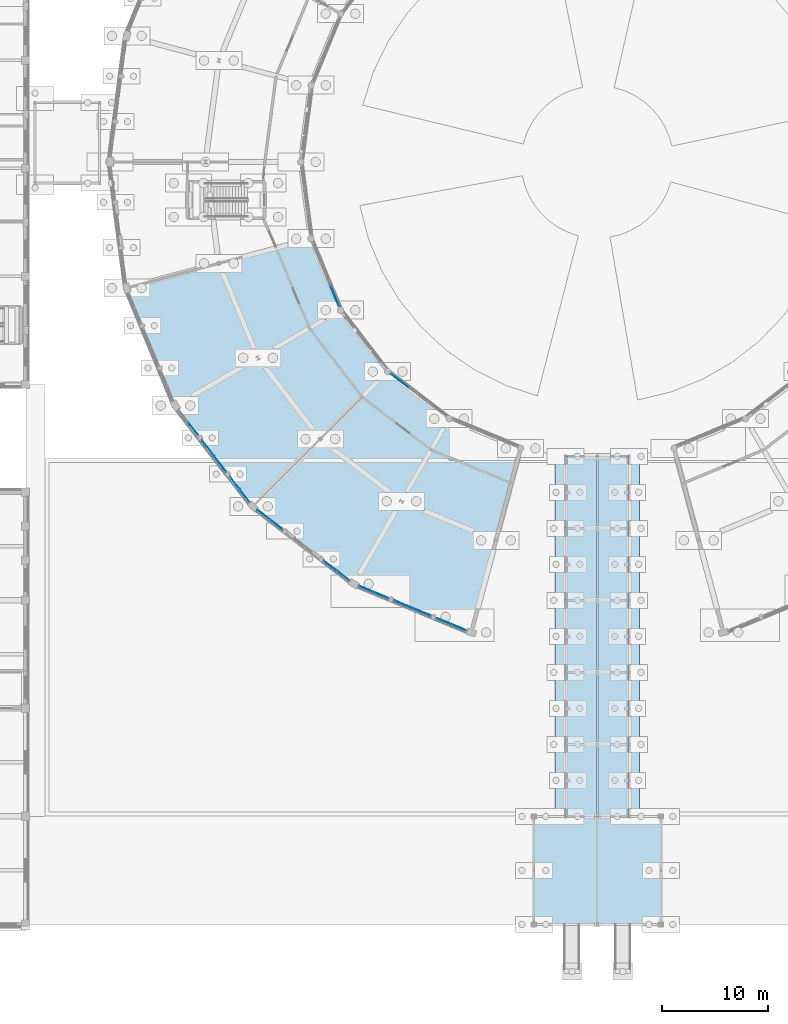
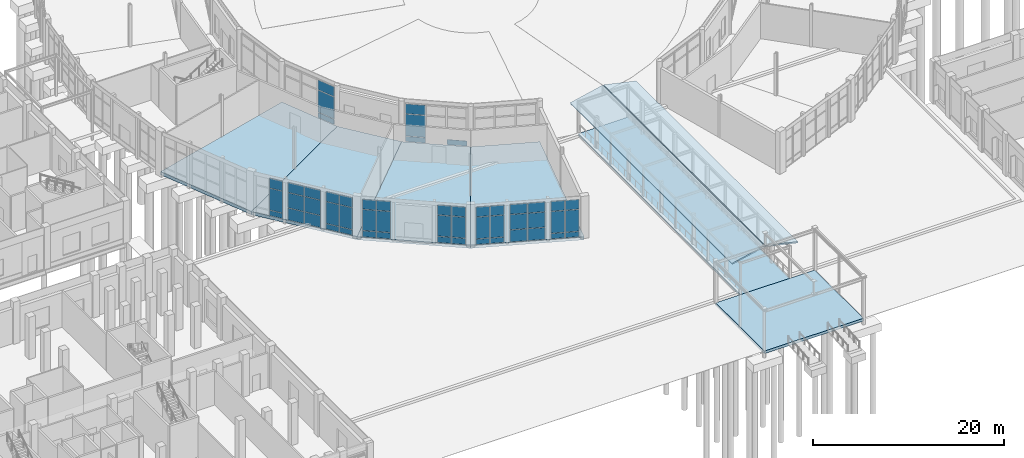
# One storey, part 86 of 137: 52 plates, 8 slabs, 10 elements without a shape of their own.
"""IFC4 building model written with IfcOpenShell, lengths in metres."""

from ifc_helpers import new_model, si_unit, direction, frame, origin, origin_2d, place, context, subcontext, project, spatial, polyline, rectangle, outline, extrude, material, layer, layer_set, type_object, element, aggregate, save


model = new_model("IFC4")

# Units and contexts
model_context = context("Model", 3, precision=1e-05, world=origin(), true_north=direction((0.0, 1.0)))
body_context = subcontext(model_context, "Body", "Model", "MODEL_VIEW")
ifc_project = project(units=[si_unit("LENGTHUNIT", "METRE"), si_unit("AREAUNIT", "SQUARE_METRE"), si_unit("VOLUMEUNIT", "CUBIC_METRE"), si_unit("PLANEANGLEUNIT", "RADIAN"), si_unit("MASSUNIT", "GRAM", prefix="KILO")], contexts=[model_context])

# Site, building, storey
site_placement = place(None, origin())
site = spatial("IfcSite", under=ifc_project, at=site_placement, CompositionType="ELEMENT")
building_placement = place(site_placement, origin())
building = spatial("IfcBuilding", under=site, at=building_placement, Name="Vondelvale Polytechnic", CompositionType="ELEMENT")
storey_placement = place(building_placement, origin())
storey = spatial("IfcBuildingStorey", under=building, at=storey_placement, Name="L00", CompositionType="ELEMENT", Elevation=0.0)

# Curtain wall, plates
ifc_material_1 = material(Name="Anodised extruded aluminium 6063-T6", Category="aluminium")
curtain_wall_type_1 = type_object("IfcCurtainWallType", Name="CW-RING-CLOISTER", PredefinedType="NOTDEFINED", material=ifc_material_1)
curtain_wall_1_placement = place(storey_placement, origin())
curtain_wall_1 = element("IfcCurtainWall", 1, at=curtain_wall_1_placement, inside=storey, type_object=curtain_wall_type_1, Name="L00 architectural curtain wall CW-03-275", PredefinedType="NOTDEFINED")
ifc_material_2 = material(Name="Double-glazed low-E insulated architectural glass", Category="glass")
ifc_layer_1 = layer(ifc_material_2, 0.028076171875)
ifc_layer_set_1 = layer_set([ifc_layer_1], Name="CW-PANEL-GLAZED")
plate_type_1 = type_object("IfcPlateType", Name="CW-PANEL-GLAZED", PredefinedType="CURTAIN_PANEL", material=ifc_layer_set_1)
plate_1_placement = place(storey_placement, frame((77.194091796875, 59.344970703125, 0.78271484375), z_axis=(0.0, 0.0, 1.0), x_axis=(0.382678531697, -0.923881562419, 0.0)))
plate_1 = element("IfcPlate", 2, at=plate_1_placement, type_object=plate_type_1, Name="CW-03-275 panel 3.2", PredefinedType="CURTAIN_PANEL", context=body_context, shape_type="SweptSolid", body=[
    extrude(rectangle(XDim=2.111572265625, YDim=0.028076171875, at=origin_2d()), origin(), (0.0, 0.0, 1.0), 2.784912109375),
])
plate_2_placement = place(storey_placement, frame((77.194091796875, 59.344970703125, 3.632568359375), z_axis=(0.0, 0.0, 1.0), x_axis=(0.382678531697, -0.923881562419, 0.0)))
plate_2 = element("IfcPlate", 3, at=plate_2_placement, type_object=plate_type_1, Name="CW-03-275 panel 3.3", PredefinedType="CURTAIN_PANEL", context=body_context, shape_type="SweptSolid", body=[
    extrude(rectangle(XDim=2.111572265625, YDim=0.028076171875, at=origin_2d()), origin(), (0.0, 0.0, 1.0), 1.25244140625),
])

ifc_material_3 = material(Name="Glulam GL18 structural Tasmanian oak (fb = 42 MPa)", Category="wood")
curtain_wall_type_2 = type_object("IfcCurtainWallType", Name="CW-RING-OUTER", PredefinedType="NOTDEFINED", material=ifc_material_3)
curtain_wall_2_placement = place(storey_placement, origin())
curtain_wall_2 = element("IfcCurtainWall", 4, at=curtain_wall_2_placement, inside=storey, type_object=curtain_wall_type_2, Name="L00 architectural curtain wall CW-04-295", PredefinedType="NOTDEFINED")
plate_3_placement = place(storey_placement, frame((63.86474609375, 46.7822265625, 0.77978515625), z_axis=(0.0, 0.0, 1.0), x_axis=(0.608763610584, -0.793351666305, 0.0)))
plate_3 = element("IfcPlate", 5, at=plate_3_placement, type_object=plate_type_1, Name="CW-04-295 panel 2.2", PredefinedType="CURTAIN_PANEL", context=body_context, shape_type="SweptSolid", body=[
    extrude(rectangle(XDim=1.454345703125, YDim=0.028076171875, at=origin_2d()), origin(), (0.0, 0.0, 1.0), 2.760009765625),
])
plate_4_placement = place(storey_placement, frame((63.86474609375, 46.7822265625, 3.60009765625), z_axis=(0.0, 0.0, 1.0), x_axis=(0.608763610584, -0.793351666305, 0.0)))
plate_4 = element("IfcPlate", 6, at=plate_4_placement, type_object=plate_type_1, Name="CW-04-295 panel 2.3", PredefinedType="CURTAIN_PANEL", context=body_context, shape_type="SweptSolid", body=[
    extrude(rectangle(XDim=1.454345703125, YDim=0.028076171875, at=origin_2d()), origin(), (0.0, 0.0, 1.0), 1.260009765625),
])

curtain_wall_3_placement = place(storey_placement, origin())
curtain_wall_3 = element("IfcCurtainWall", 7, at=curtain_wall_3_placement, inside=storey, type_object=curtain_wall_type_2, Name="L00 architectural curtain wall CW-04-297", PredefinedType="NOTDEFINED")
plate_5_placement = place(storey_placement, frame((67.771240234375, 41.69091796875, 0.77978515625), z_axis=(0.0, 0.0, 1.0), x_axis=(0.608763610584, -0.793351666305, 0.0)))
plate_5 = element("IfcPlate", 8, at=plate_5_placement, type_object=plate_type_1, Name="CW-04-297 panel 1.2", PredefinedType="CURTAIN_PANEL", context=body_context, shape_type="SweptSolid", body=[
    extrude(rectangle(XDim=1.454345703125, YDim=0.028076171875, at=origin_2d()), origin(), (0.0, 0.0, 1.0), 2.760009765625),
])
plate_6_placement = place(storey_placement, frame((67.771240234375, 41.69091796875, 3.60009765625), z_axis=(0.0, 0.0, 1.0), x_axis=(0.608763610584, -0.793351666305, 0.0)))
plate_6 = element("IfcPlate", 9, at=plate_6_placement, type_object=plate_type_1, Name="CW-04-297 panel 1.3", PredefinedType="CURTAIN_PANEL", context=body_context, shape_type="SweptSolid", body=[
    extrude(rectangle(XDim=1.454345703125, YDim=0.028076171875, at=origin_2d()), origin(), (0.0, 0.0, 1.0), 1.260009765625),
])
plate_7_placement = place(storey_placement, frame((68.696044921875, 40.485595703125, 0.77978515625), z_axis=(0.0, 0.0, 1.0), x_axis=(0.608763610584, -0.793351666305, 0.0)))
plate_7 = element("IfcPlate", 10, at=plate_7_placement, type_object=plate_type_1, Name="CW-04-297 panel 2.2", PredefinedType="CURTAIN_PANEL", context=body_context, shape_type="SweptSolid", body=[
    extrude(rectangle(XDim=1.454345703125, YDim=0.028076171875, at=origin_2d()), origin(), (0.0, 0.0, 1.0), 2.760009765625),
])
plate_8_placement = place(storey_placement, frame((68.696044921875, 40.485595703125, 3.60009765625), z_axis=(0.0, 0.0, 1.0), x_axis=(0.608763610584, -0.793351666305, 0.0)))
plate_8 = element("IfcPlate", 11, at=plate_8_placement, type_object=plate_type_1, Name="CW-04-297 panel 2.3", PredefinedType="CURTAIN_PANEL", context=body_context, shape_type="SweptSolid", body=[
    extrude(rectangle(XDim=1.454345703125, YDim=0.028076171875, at=origin_2d()), origin(), (0.0, 0.0, 1.0), 1.260009765625),
])

curtain_wall_4_placement = place(storey_placement, origin())
curtain_wall_4 = element("IfcCurtainWall", 12, at=curtain_wall_4_placement, inside=storey, type_object=curtain_wall_type_1, Name="L00 architectural curtain wall CW-03-314", PredefinedType="NOTDEFINED")
plate_9_placement = place(storey_placement, frame((83.355224609375, 51.3154296875, 0.78271484375), z_axis=(0.0, 0.0, 1.0), x_axis=(0.793363861089, -0.608747717793, 0.0)))
plate_9 = element("IfcPlate", 13, at=plate_9_placement, type_object=plate_type_1, Name="CW-03-314 panel 1.2", PredefinedType="CURTAIN_PANEL", context=body_context, shape_type="SweptSolid", body=[
    extrude(rectangle(XDim=2.1123046875, YDim=0.028076171875, at=origin_2d()), origin(), (0.0, 0.0, 1.0), 2.784912109375),
])
plate_10_placement = place(storey_placement, frame((83.355224609375, 51.3154296875, 3.632568359375), z_axis=(0.0, 0.0, 1.0), x_axis=(0.793363861089, -0.608747717793, 0.0)))
plate_10 = element("IfcPlate", 14, at=plate_10_placement, type_object=plate_type_1, Name="CW-03-314 panel 1.3", PredefinedType="CURTAIN_PANEL", context=body_context, shape_type="SweptSolid", body=[
    extrude(rectangle(XDim=2.1123046875, YDim=0.028076171875, at=origin_2d()), origin(), (0.0, 0.0, 1.0), 1.25244140625),
])

curtain_wall_5_placement = place(storey_placement, origin())
curtain_wall_5 = element("IfcCurtainWall", 15, at=curtain_wall_5_placement, inside=storey, type_object=curtain_wall_type_2, Name="L00 architectural curtain wall CW-04-315", PredefinedType="NOTDEFINED")
plate_11_placement = place(storey_placement, frame((70.485595703125, 38.696044921875, 0.8798828125), z_axis=(0.0, 0.0, 1.0), x_axis=(0.793351666305, -0.608763610584, 0.0)))
plate_11 = element("IfcPlate", 16, at=plate_11_placement, type_object=plate_type_1, Name="CW-04-315 panel 1.2", PredefinedType="CURTAIN_PANEL", context=body_context, shape_type="SweptSolid", body=[
    extrude(rectangle(XDim=1.454345703125, YDim=0.028076171875, at=origin_2d()), origin(), (0.0, 0.0, 1.0), 2.659912109375),
])
plate_12_placement = place(storey_placement, frame((70.485595703125, 38.696044921875, 3.60009765625), z_axis=(0.0, 0.0, 1.0), x_axis=(0.793351666305, -0.608763610584, 0.0)))
plate_12 = element("IfcPlate", 17, at=plate_12_placement, type_object=plate_type_1, Name="CW-04-315 panel 1.3", PredefinedType="CURTAIN_PANEL", context=body_context, shape_type="SweptSolid", body=[
    extrude(rectangle(XDim=1.454345703125, YDim=0.028076171875, at=origin_2d()), origin(), (0.0, 0.0, 1.0), 1.260009765625),
])
plate_13_placement = place(storey_placement, frame((71.69091796875, 37.771240234375, 0.8798828125), z_axis=(0.0, 0.0, 1.0), x_axis=(0.793351666305, -0.608763610584, 0.0)))
plate_13 = element("IfcPlate", 18, at=plate_13_placement, type_object=plate_type_1, Name="CW-04-315 panel 2.2", PredefinedType="CURTAIN_PANEL", context=body_context, shape_type="SweptSolid", body=[
    extrude(rectangle(XDim=1.454345703125, YDim=0.028076171875, at=origin_2d()), origin(), (0.0, 0.0, 1.0), 2.659912109375),
])
plate_14_placement = place(storey_placement, frame((71.69091796875, 37.771240234375, 3.60009765625), z_axis=(0.0, 0.0, 1.0), x_axis=(0.793351666305, -0.608763610584, 0.0)))
plate_14 = element("IfcPlate", 19, at=plate_14_placement, type_object=plate_type_1, Name="CW-04-315 panel 2.3", PredefinedType="CURTAIN_PANEL", context=body_context, shape_type="SweptSolid", body=[
    extrude(rectangle(XDim=1.454345703125, YDim=0.028076171875, at=origin_2d()), origin(), (0.0, 0.0, 1.0), 1.260009765625),
])

curtain_wall_6_placement = place(storey_placement, origin())
curtain_wall_6 = element("IfcCurtainWall", 20, at=curtain_wall_6_placement, inside=storey, type_object=curtain_wall_type_2, Name="L00 architectural curtain wall CW-04-316", PredefinedType="NOTDEFINED")
plate_15_placement = place(storey_placement, frame((76.7822265625, 33.86474609375, 0.8798828125), z_axis=(0.0, 0.0, 1.0), x_axis=(0.793351666305, -0.608763610584, 0.0)))
plate_15 = element("IfcPlate", 21, at=plate_15_placement, type_object=plate_type_1, Name="CW-04-316 panel 1.2", PredefinedType="CURTAIN_PANEL", context=body_context, shape_type="SweptSolid", body=[
    extrude(rectangle(XDim=1.454345703125, YDim=0.028076171875, at=origin_2d()), origin(), (0.0, 0.0, 1.0), 2.659912109375),
])
plate_16_placement = place(storey_placement, frame((76.7822265625, 33.86474609375, 3.60009765625), z_axis=(0.0, 0.0, 1.0), x_axis=(0.793351666305, -0.608763610584, 0.0)))
plate_16 = element("IfcPlate", 22, at=plate_16_placement, type_object=plate_type_1, Name="CW-04-316 panel 1.3", PredefinedType="CURTAIN_PANEL", context=body_context, shape_type="SweptSolid", body=[
    extrude(rectangle(XDim=1.454345703125, YDim=0.028076171875, at=origin_2d()), origin(), (0.0, 0.0, 1.0), 1.260009765625),
])
plate_17_placement = place(storey_placement, frame((77.987548828125, 32.939697265625, 0.8798828125), z_axis=(0.0, 0.0, 1.0), x_axis=(0.793351666305, -0.608763610584, 0.0)))
plate_17 = element("IfcPlate", 23, at=plate_17_placement, type_object=plate_type_1, Name="CW-04-316 panel 2.2", PredefinedType="CURTAIN_PANEL", context=body_context, shape_type="SweptSolid", body=[
    extrude(rectangle(XDim=1.454345703125, YDim=0.028076171875, at=origin_2d()), origin(), (0.0, 0.0, 1.0), 2.659912109375),
])
plate_18_placement = place(storey_placement, frame((77.987548828125, 32.939697265625, 3.60009765625), z_axis=(0.0, 0.0, 1.0), x_axis=(0.793351666305, -0.608763610584, 0.0)))
plate_18 = element("IfcPlate", 24, at=plate_18_placement, type_object=plate_type_1, Name="CW-04-316 panel 2.3", PredefinedType="CURTAIN_PANEL", context=body_context, shape_type="SweptSolid", body=[
    extrude(rectangle(XDim=1.454345703125, YDim=0.028076171875, at=origin_2d()), origin(), (0.0, 0.0, 1.0), 1.260009765625),
])

curtain_wall_7_placement = place(storey_placement, origin())
curtain_wall_7 = element("IfcCurtainWall", 25, at=curtain_wall_7_placement, inside=storey, type_object=curtain_wall_type_2, Name="L00 architectural curtain wall CW-04-326", PredefinedType="NOTDEFINED")
plate_19_placement = place(storey_placement, frame((80.178955078125, 31.674560546875, 0.77978515625), z_axis=(0.0, 0.0, 1.0), x_axis=(0.92388135159, -0.382679040691, 0.0)))
plate_19 = element("IfcPlate", 26, at=plate_19_placement, type_object=plate_type_1, Name="CW-04-326 panel 1.2", PredefinedType="CURTAIN_PANEL", context=body_context, shape_type="SweptSolid", body=[
    extrude(rectangle(XDim=1.454345703125, YDim=0.028076171875, at=origin_2d()), origin(), (0.0, 0.0, 1.0), 2.760009765625),
])
plate_20_placement = place(storey_placement, frame((80.178955078125, 31.674560546875, 3.60009765625), z_axis=(0.0, 0.0, 1.0), x_axis=(0.92388135159, -0.382679040691, 0.0)))
plate_20 = element("IfcPlate", 27, at=plate_20_placement, type_object=plate_type_1, Name="CW-04-326 panel 1.3", PredefinedType="CURTAIN_PANEL", context=body_context, shape_type="SweptSolid", body=[
    extrude(rectangle(XDim=1.454345703125, YDim=0.028076171875, at=origin_2d()), origin(), (0.0, 0.0, 1.0), 1.260009765625),
])
plate_21_placement = place(storey_placement, frame((81.582763671875, 31.093017578125, 0.77978515625), z_axis=(0.0, 0.0, 1.0), x_axis=(0.92388135159, -0.382679040691, 0.0)))
plate_21 = element("IfcPlate", 28, at=plate_21_placement, type_object=plate_type_1, Name="CW-04-326 panel 2.2", PredefinedType="CURTAIN_PANEL", context=body_context, shape_type="SweptSolid", body=[
    extrude(rectangle(XDim=1.454345703125, YDim=0.028076171875, at=origin_2d()), origin(), (0.0, 0.0, 1.0), 2.760009765625),
])
plate_22_placement = place(storey_placement, frame((81.582763671875, 31.093017578125, 3.60009765625), z_axis=(0.0, 0.0, 1.0), x_axis=(0.92388135159, -0.382679040691, 0.0)))
plate_22 = element("IfcPlate", 29, at=plate_22_placement, type_object=plate_type_1, Name="CW-04-326 panel 2.3", PredefinedType="CURTAIN_PANEL", context=body_context, shape_type="SweptSolid", body=[
    extrude(rectangle(XDim=1.454345703125, YDim=0.028076171875, at=origin_2d()), origin(), (0.0, 0.0, 1.0), 1.260009765625),
])

curtain_wall_8_placement = place(storey_placement, origin())
curtain_wall_8 = element("IfcCurtainWall", 30, at=curtain_wall_8_placement, inside=storey, type_object=curtain_wall_type_2, Name="L00 architectural curtain wall CW-04-328", PredefinedType="NOTDEFINED")
plate_23_placement = place(storey_placement, frame((87.511474609375, 28.63720703125, 0.77978515625), z_axis=(0.0, 0.0, 1.0), x_axis=(0.92388135159, -0.382679040691, 0.0)))
plate_23 = element("IfcPlate", 31, at=plate_23_placement, type_object=plate_type_1, Name="CW-04-328 panel 1.2", PredefinedType="CURTAIN_PANEL", context=body_context, shape_type="SweptSolid", body=[
    extrude(rectangle(XDim=1.454345703125, YDim=0.028076171875, at=origin_2d()), origin(), (0.0, 0.0, 1.0), 2.760009765625),
])
plate_24_placement = place(storey_placement, frame((87.511474609375, 28.63720703125, 3.60009765625), z_axis=(0.0, 0.0, 1.0), x_axis=(0.92388135159, -0.382679040691, 0.0)))
plate_24 = element("IfcPlate", 32, at=plate_24_placement, type_object=plate_type_1, Name="CW-04-328 panel 1.3", PredefinedType="CURTAIN_PANEL", context=body_context, shape_type="SweptSolid", body=[
    extrude(rectangle(XDim=1.454345703125, YDim=0.028076171875, at=origin_2d()), origin(), (0.0, 0.0, 1.0), 1.260009765625),
])
plate_25_placement = place(storey_placement, frame((88.915283203125, 28.0556640625, 0.77978515625), z_axis=(0.0, 0.0, 1.0), x_axis=(0.92388135159, -0.382679040691, 0.0)))
plate_25 = element("IfcPlate", 33, at=plate_25_placement, type_object=plate_type_1, Name="CW-04-328 panel 2.2", PredefinedType="CURTAIN_PANEL", context=body_context, shape_type="SweptSolid", body=[
    extrude(rectangle(XDim=1.454345703125, YDim=0.028076171875, at=origin_2d()), origin(), (0.0, 0.0, 1.0), 2.760009765625),
])
plate_26_placement = place(storey_placement, frame((88.915283203125, 28.0556640625, 3.60009765625), z_axis=(0.0, 0.0, 1.0), x_axis=(0.92388135159, -0.382679040691, 0.0)))
plate_26 = element("IfcPlate", 34, at=plate_26_placement, type_object=plate_type_1, Name="CW-04-328 panel 2.3", PredefinedType="CURTAIN_PANEL", context=body_context, shape_type="SweptSolid", body=[
    extrude(rectangle(XDim=1.454345703125, YDim=0.028076171875, at=origin_2d()), origin(), (0.0, 0.0, 1.0), 1.260009765625),
])

# Plate
ifc_material_4 = material(Name="Engineered Tasmanian oak studio and bridge joinery")
ifc_layer_2 = layer(ifc_material_4, 0.0419921875)
ifc_layer_set_2 = layer_set([ifc_layer_2], Name="CW-PANEL-OAK")
plate_type_2 = type_object("IfcPlateType", Name="CW-PANEL-OAK", PredefinedType="CURTAIN_PANEL", material=ifc_layer_set_2)
plate_27_placement = place(storey_placement, frame((77.194091796875, 59.344970703125, 0.06494140625), z_axis=(0.0, 0.0, 1.0), x_axis=(0.382678531697, -0.923881562419, 0.0)))
plate_27 = element("IfcPlate", 35, at=plate_27_placement, type_object=plate_type_2, Name="CW-03-275 panel 3.1", PredefinedType="CURTAIN_PANEL", context=body_context, shape_type="SweptSolid", body=[
    extrude(rectangle(XDim=2.111572265625, YDim=0.0419921875, at=origin_2d()), origin(), (0.0, 0.0, 1.0), 0.652587890625),
])

aggregate(curtain_wall_1, [plate_27, plate_1, plate_2])

# Curtain wall, plates
curtain_wall_9_placement = place(storey_placement, origin())
curtain_wall_9 = element("IfcCurtainWall", 36, at=curtain_wall_9_placement, inside=storey, type_object=curtain_wall_type_2, Name="L00 architectural curtain wall CW-04-296", PredefinedType="NOTDEFINED")
plate_28_placement = place(storey_placement, frame((65.24755859375, 44.97998046875, 0.06005859375), z_axis=(0.0, 0.0, 1.0), x_axis=(0.608771189063, -0.793345851043, 0.0)))
plate_28 = element("IfcPlate", 37, at=plate_28_placement, type_object=plate_type_2, Name="CW-04-296 panel 1.1", PredefinedType="CURTAIN_PANEL", context=body_context, shape_type="SweptSolid", body=[
    extrude(rectangle(XDim=1.80908203125, YDim=0.0419921875, at=origin_2d()), origin(), (0.0, 0.0, 1.0), 1.510009765625),
])
plate_29_placement = place(storey_placement, frame((65.24755859375, 44.97998046875, 1.6298828125), z_axis=(0.0, 0.0, 1.0), x_axis=(0.608771189063, -0.793345851043, 0.0)))
plate_29 = element("IfcPlate", 38, at=plate_29_placement, type_object=plate_type_2, Name="CW-04-296 panel 1.2", PredefinedType="CURTAIN_PANEL", context=body_context, shape_type="SweptSolid", body=[
    extrude(rectangle(XDim=1.80908203125, YDim=0.0419921875, at=origin_2d()), origin(), (0.0, 0.0, 1.0), 1.909912109375),
])
plate_30_placement = place(storey_placement, frame((65.24755859375, 44.97998046875, 3.60009765625), z_axis=(0.0, 0.0, 1.0), x_axis=(0.608771189063, -0.793345851043, 0.0)))
plate_30 = element("IfcPlate", 39, at=plate_30_placement, type_object=plate_type_2, Name="CW-04-296 panel 1.3", PredefinedType="CURTAIN_PANEL", context=body_context, shape_type="SweptSolid", body=[
    extrude(rectangle(XDim=1.80908203125, YDim=0.0419921875, at=origin_2d()), origin(), (0.0, 0.0, 1.0), 1.260009765625),
])
plate_31_placement = place(storey_placement, frame((66.388427734375, 43.4931640625, 0.06005859375), z_axis=(0.0, 0.0, 1.0), x_axis=(0.608771189063, -0.793345851043, 0.0)))
plate_31 = element("IfcPlate", 40, at=plate_31_placement, type_object=plate_type_2, Name="CW-04-296 panel 2.1", PredefinedType="CURTAIN_PANEL", context=body_context, shape_type="SweptSolid", body=[
    extrude(rectangle(XDim=1.80908203125, YDim=0.0419921875, at=origin_2d()), origin(), (0.0, 0.0, 1.0), 1.510009765625),
])
plate_32_placement = place(storey_placement, frame((66.388427734375, 43.4931640625, 1.6298828125), z_axis=(0.0, 0.0, 1.0), x_axis=(0.608771189063, -0.793345851043, 0.0)))
plate_32 = element("IfcPlate", 41, at=plate_32_placement, type_object=plate_type_2, Name="CW-04-296 panel 2.2", PredefinedType="CURTAIN_PANEL", context=body_context, shape_type="SweptSolid", body=[
    extrude(rectangle(XDim=1.80908203125, YDim=0.0419921875, at=origin_2d()), origin(), (0.0, 0.0, 1.0), 1.909912109375),
])
plate_33_placement = place(storey_placement, frame((66.388427734375, 43.4931640625, 3.60009765625), z_axis=(0.0, 0.0, 1.0), x_axis=(0.608771189063, -0.793345851043, 0.0)))
plate_33 = element("IfcPlate", 42, at=plate_33_placement, type_object=plate_type_2, Name="CW-04-296 panel 2.3", PredefinedType="CURTAIN_PANEL", context=body_context, shape_type="SweptSolid", body=[
    extrude(rectangle(XDim=1.80908203125, YDim=0.0419921875, at=origin_2d()), origin(), (0.0, 0.0, 1.0), 1.260009765625),
])
aggregate(curtain_wall_9, [plate_28, plate_29, plate_30, plate_31, plate_32, plate_33])

# Plate
plate_34_placement = place(storey_placement, frame((83.355224609375, 51.3154296875, 0.06494140625), z_axis=(0.0, 0.0, 1.0), x_axis=(0.793363861089, -0.608747717793, 0.0)))
plate_34 = element("IfcPlate", 43, at=plate_34_placement, type_object=plate_type_2, Name="CW-03-314 panel 1.1", PredefinedType="CURTAIN_PANEL", context=body_context, shape_type="SweptSolid", body=[
    extrude(rectangle(XDim=2.1123046875, YDim=0.0419921875, at=origin_2d()), origin(), (0.0, 0.0, 1.0), 0.652587890625),
])

plate_35_placement = place(storey_placement, frame((86.845703125, 48.636962890625, 0.06494140625), z_axis=(0.0, 0.0, 1.0), x_axis=(0.793363861089, -0.608747717793, 0.0)))
plate_35 = element("IfcPlate", 44, at=plate_35_placement, type_object=plate_type_2, Name="CW-03-314 panel 3.1", PredefinedType="CURTAIN_PANEL", context=body_context, shape_type="SweptSolid", body=[
    extrude(rectangle(XDim=2.1123046875, YDim=0.0419921875, at=origin_2d()), origin(), (0.0, 0.0, 1.0), 0.652587890625),
])

aggregate(curtain_wall_4, [plate_34, plate_9, plate_10, plate_35])

plate_36_placement = place(storey_placement, frame((70.485595703125, 38.696044921875, 0.06005859375), z_axis=(0.0, 0.0, 1.0), x_axis=(0.793351666305, -0.608763610584, 0.0)))
plate_36 = element("IfcPlate", 45, at=plate_36_placement, type_object=plate_type_2, Name="CW-04-315 panel 1.1", PredefinedType="CURTAIN_PANEL", context=body_context, shape_type="SweptSolid", body=[
    extrude(rectangle(XDim=1.454345703125, YDim=0.0419921875, at=origin_2d()), origin(), (0.0, 0.0, 1.0), 0.760009765625),
])

plate_37_placement = place(storey_placement, frame((71.69091796875, 37.771240234375, 0.06005859375), z_axis=(0.0, 0.0, 1.0), x_axis=(0.793351666305, -0.608763610584, 0.0)))
plate_37 = element("IfcPlate", 46, at=plate_37_placement, type_object=plate_type_2, Name="CW-04-315 panel 2.1", PredefinedType="CURTAIN_PANEL", context=body_context, shape_type="SweptSolid", body=[
    extrude(rectangle(XDim=1.454345703125, YDim=0.0419921875, at=origin_2d()), origin(), (0.0, 0.0, 1.0), 0.760009765625),
])

aggregate(curtain_wall_5, [plate_36, plate_11, plate_12, plate_37, plate_13, plate_14])

plate_38_placement = place(storey_placement, frame((76.7822265625, 33.86474609375, 0.06005859375), z_axis=(0.0, 0.0, 1.0), x_axis=(0.793351666305, -0.608763610584, 0.0)))
plate_38 = element("IfcPlate", 47, at=plate_38_placement, type_object=plate_type_2, Name="CW-04-316 panel 1.1", PredefinedType="CURTAIN_PANEL", context=body_context, shape_type="SweptSolid", body=[
    extrude(rectangle(XDim=1.454345703125, YDim=0.0419921875, at=origin_2d()), origin(), (0.0, 0.0, 1.0), 0.760009765625),
])

plate_39_placement = place(storey_placement, frame((77.987548828125, 32.939697265625, 0.06005859375), z_axis=(0.0, 0.0, 1.0), x_axis=(0.793351666305, -0.608763610584, 0.0)))
plate_39 = element("IfcPlate", 48, at=plate_39_placement, type_object=plate_type_2, Name="CW-04-316 panel 2.1", PredefinedType="CURTAIN_PANEL", context=body_context, shape_type="SweptSolid", body=[
    extrude(rectangle(XDim=1.454345703125, YDim=0.0419921875, at=origin_2d()), origin(), (0.0, 0.0, 1.0), 0.760009765625),
])

aggregate(curtain_wall_6, [plate_38, plate_15, plate_16, plate_39, plate_17, plate_18])

# Curtain wall, plates
curtain_wall_10_placement = place(storey_placement, origin())
curtain_wall_10 = element("IfcCurtainWall", 49, at=curtain_wall_10_placement, inside=storey, type_object=curtain_wall_type_2, Name="L00 architectural curtain wall CW-04-327", PredefinedType="NOTDEFINED")
plate_40_placement = place(storey_placement, frame((83.681396484375, 30.2236328125, 0.06005859375), z_axis=(0.0, 0.0, 1.0), x_axis=(0.92387490701, -0.382694599123, 0.0)))
plate_40 = element("IfcPlate", 50, at=plate_40_placement, type_object=plate_type_2, Name="CW-04-327 panel 1.1", PredefinedType="CURTAIN_PANEL", context=body_context, shape_type="SweptSolid", body=[
    extrude(rectangle(XDim=1.80908203125, YDim=0.0419921875, at=origin_2d()), origin(), (0.0, 0.0, 1.0), 1.510009765625),
])
plate_41_placement = place(storey_placement, frame((83.681396484375, 30.2236328125, 1.6298828125), z_axis=(0.0, 0.0, 1.0), x_axis=(0.92387490701, -0.382694599123, 0.0)))
plate_41 = element("IfcPlate", 51, at=plate_41_placement, type_object=plate_type_2, Name="CW-04-327 panel 1.2", PredefinedType="CURTAIN_PANEL", context=body_context, shape_type="SweptSolid", body=[
    extrude(rectangle(XDim=1.80908203125, YDim=0.0419921875, at=origin_2d()), origin(), (0.0, 0.0, 1.0), 1.909912109375),
])
plate_42_placement = place(storey_placement, frame((83.681396484375, 30.2236328125, 3.60009765625), z_axis=(0.0, 0.0, 1.0), x_axis=(0.92387490701, -0.382694599123, 0.0)))
plate_42 = element("IfcPlate", 52, at=plate_42_placement, type_object=plate_type_2, Name="CW-04-327 panel 1.3", PredefinedType="CURTAIN_PANEL", context=body_context, shape_type="SweptSolid", body=[
    extrude(rectangle(XDim=1.80908203125, YDim=0.0419921875, at=origin_2d()), origin(), (0.0, 0.0, 1.0), 1.260009765625),
])
plate_43_placement = place(storey_placement, frame((85.412841796875, 29.506591796875, 0.06005859375), z_axis=(0.0, 0.0, 1.0), x_axis=(0.92387490701, -0.382694599123, 0.0)))
plate_43 = element("IfcPlate", 53, at=plate_43_placement, type_object=plate_type_2, Name="CW-04-327 panel 2.1", PredefinedType="CURTAIN_PANEL", context=body_context, shape_type="SweptSolid", body=[
    extrude(rectangle(XDim=1.80908203125, YDim=0.0419921875, at=origin_2d()), origin(), (0.0, 0.0, 1.0), 1.510009765625),
])
plate_44_placement = place(storey_placement, frame((85.412841796875, 29.506591796875, 1.6298828125), z_axis=(0.0, 0.0, 1.0), x_axis=(0.92387490701, -0.382694599123, 0.0)))
plate_44 = element("IfcPlate", 54, at=plate_44_placement, type_object=plate_type_2, Name="CW-04-327 panel 2.2", PredefinedType="CURTAIN_PANEL", context=body_context, shape_type="SweptSolid", body=[
    extrude(rectangle(XDim=1.80908203125, YDim=0.0419921875, at=origin_2d()), origin(), (0.0, 0.0, 1.0), 1.909912109375),
])
plate_45_placement = place(storey_placement, frame((85.412841796875, 29.506591796875, 3.60009765625), z_axis=(0.0, 0.0, 1.0), x_axis=(0.92387490701, -0.382694599123, 0.0)))
plate_45 = element("IfcPlate", 55, at=plate_45_placement, type_object=plate_type_2, Name="CW-04-327 panel 2.3", PredefinedType="CURTAIN_PANEL", context=body_context, shape_type="SweptSolid", body=[
    extrude(rectangle(XDim=1.80908203125, YDim=0.0419921875, at=origin_2d()), origin(), (0.0, 0.0, 1.0), 1.260009765625),
])
aggregate(curtain_wall_10, [plate_40, plate_41, plate_42, plate_43, plate_44, plate_45])

# Plate
ifc_material_5 = material(Name="Kiln-fired architectural terracotta", Category="masonry")
ifc_layer_3 = layer(ifc_material_5, 0.035888671875)
ifc_layer_set_3 = layer_set([ifc_layer_3], Name="CW-PANEL-SPANDREL")
plate_type_3 = type_object("IfcPlateType", Name="CW-PANEL-SPANDREL", PredefinedType="CURTAIN_PANEL", material=ifc_layer_set_3)
plate_46_placement = place(storey_placement, frame((63.86474609375, 46.7822265625, 0.06005859375), z_axis=(0.0, 0.0, 1.0), x_axis=(0.608763610584, -0.793351666305, 0.0)))
plate_46 = element("IfcPlate", 56, at=plate_46_placement, type_object=plate_type_3, Name="CW-04-295 panel 2.1", PredefinedType="CURTAIN_PANEL", context=body_context, shape_type="SweptSolid", body=[
    extrude(rectangle(XDim=1.454345703125, YDim=0.035888671875, at=origin_2d()), origin(), (0.0, 0.0, 1.0), 0.659912109375),
])

aggregate(curtain_wall_2, [plate_46, plate_3, plate_4])

plate_47_placement = place(storey_placement, frame((67.771240234375, 41.69091796875, 0.06005859375), z_axis=(0.0, 0.0, 1.0), x_axis=(0.608763610584, -0.793351666305, 0.0)))
plate_47 = element("IfcPlate", 57, at=plate_47_placement, type_object=plate_type_3, Name="CW-04-297 panel 1.1", PredefinedType="CURTAIN_PANEL", context=body_context, shape_type="SweptSolid", body=[
    extrude(rectangle(XDim=1.454345703125, YDim=0.035888671875, at=origin_2d()), origin(), (0.0, 0.0, 1.0), 0.659912109375),
])

plate_48_placement = place(storey_placement, frame((68.696044921875, 40.485595703125, 0.06005859375), z_axis=(0.0, 0.0, 1.0), x_axis=(0.608763610584, -0.793351666305, 0.0)))
plate_48 = element("IfcPlate", 58, at=plate_48_placement, type_object=plate_type_3, Name="CW-04-297 panel 2.1", PredefinedType="CURTAIN_PANEL", context=body_context, shape_type="SweptSolid", body=[
    extrude(rectangle(XDim=1.454345703125, YDim=0.035888671875, at=origin_2d()), origin(), (0.0, 0.0, 1.0), 0.659912109375),
])

aggregate(curtain_wall_3, [plate_47, plate_5, plate_6, plate_48, plate_7, plate_8])

plate_49_placement = place(storey_placement, frame((80.178955078125, 31.674560546875, 0.06005859375), z_axis=(0.0, 0.0, 1.0), x_axis=(0.92388135159, -0.382679040691, 0.0)))
plate_49 = element("IfcPlate", 59, at=plate_49_placement, type_object=plate_type_3, Name="CW-04-326 panel 1.1", PredefinedType="CURTAIN_PANEL", context=body_context, shape_type="SweptSolid", body=[
    extrude(rectangle(XDim=1.454345703125, YDim=0.035888671875, at=origin_2d()), origin(), (0.0, 0.0, 1.0), 0.659912109375),
])

plate_50_placement = place(storey_placement, frame((81.582763671875, 31.093017578125, 0.06005859375), z_axis=(0.0, 0.0, 1.0), x_axis=(0.92388135159, -0.382679040691, 0.0)))
plate_50 = element("IfcPlate", 60, at=plate_50_placement, type_object=plate_type_3, Name="CW-04-326 panel 2.1", PredefinedType="CURTAIN_PANEL", context=body_context, shape_type="SweptSolid", body=[
    extrude(rectangle(XDim=1.454345703125, YDim=0.035888671875, at=origin_2d()), origin(), (0.0, 0.0, 1.0), 0.659912109375),
])

aggregate(curtain_wall_7, [plate_49, plate_19, plate_20, plate_50, plate_21, plate_22])

plate_51_placement = place(storey_placement, frame((87.511474609375, 28.63720703125, 0.06005859375), z_axis=(0.0, 0.0, 1.0), x_axis=(0.92388135159, -0.382679040691, 0.0)))
plate_51 = element("IfcPlate", 61, at=plate_51_placement, type_object=plate_type_3, Name="CW-04-328 panel 1.1", PredefinedType="CURTAIN_PANEL", context=body_context, shape_type="SweptSolid", body=[
    extrude(rectangle(XDim=1.454345703125, YDim=0.035888671875, at=origin_2d()), origin(), (0.0, 0.0, 1.0), 0.659912109375),
])

plate_52_placement = place(storey_placement, frame((88.915283203125, 28.0556640625, 0.06005859375), z_axis=(0.0, 0.0, 1.0), x_axis=(0.92388135159, -0.382679040691, 0.0)))
plate_52 = element("IfcPlate", 62, at=plate_52_placement, type_object=plate_type_3, Name="CW-04-328 panel 2.1", PredefinedType="CURTAIN_PANEL", context=body_context, shape_type="SweptSolid", body=[
    extrude(rectangle(XDim=1.454345703125, YDim=0.035888671875, at=origin_2d()), origin(), (0.0, 0.0, 1.0), 0.659912109375),
])

aggregate(curtain_wall_8, [plate_51, plate_23, plate_24, plate_52, plate_25, plate_26])

# Slabs
ifc_material_6 = material(Name="Concrete N40 (f'c = 40 MPa)", Category="concrete")
ifc_layer_4 = layer(ifc_material_6, 0.35009765625)
ifc_layer_set_4 = layer_set([ifc_layer_4], Name="SLB-BASE-350")
slab_type_1 = type_object("IfcSlabType", Name="SLB-BASE-350", PredefinedType="BASESLAB", material=ifc_layer_set_4)
slab_1_placement = place(storey_placement, frame((0.0, 0.0, -0.35009765625)))
element("IfcSlab", 63, at=slab_1_placement, inside=storey, type_object=slab_type_1, Name="L00 South entrance canopy threshold slab", PredefinedType="BASESLAB", context=body_context, shape_type="SweptSolid", body=[
    extrude(outline(polyline([(96.0, 0.0), (108.0, 0.0), (108.0, 10.199951171875), (96.0, 10.199951171875), (96.0, 0.0)])), origin(), (0.0, 0.0, 1.0), 0.35009765625),
])
ifc_layer_5 = layer(ifc_material_6, 0.39990234375)
ifc_layer_set_5 = layer_set([ifc_layer_5], Name="SLB-BASE-400")
slab_type_2 = type_object("IfcSlabType", Name="SLB-BASE-400", PredefinedType="BASESLAB", material=ifc_layer_set_5)
slab_2_placement = place(storey_placement, frame((0.0, 0.0, -0.39990234375)))
element("IfcSlab", 64, at=slab_2_placement, inside=storey, type_object=slab_type_2, Name="L00 circular ring sector 13 floor slab", PredefinedType="BASESLAB", context=body_context, shape_type="SweptSolid", body=[
    extrude(outline(polyline([(74.9541015625, 64.753173828125), (57.5673828125, 60.09423828125), (62.162841796875, 49.0), (77.751220703125, 58.0), (74.9541015625, 64.753173828125)])), origin(), (0.0, 0.0, 1.0), 0.39990234375),
])
slab_3_placement = place(storey_placement, frame((0.0, 0.0, -0.39990234375)))
element("IfcSlab", 65, at=slab_3_placement, inside=storey, type_object=slab_type_2, Name="L00 circular ring sector 14 floor slab", PredefinedType="BASESLAB", context=body_context, shape_type="SweptSolid", body=[
    extrude(outline(polyline([(77.751220703125, 58.0), (62.162841796875, 49.0), (69.47314453125, 39.47314453125), (82.200927734375, 52.200927734375), (77.751220703125, 58.0)])), origin(), (0.0, 0.0, 1.0), 0.39990234375),
])
slab_4_placement = place(storey_placement, frame((0.0, 0.0, -0.39990234375)))
element("IfcSlab", 66, at=slab_4_placement, inside=storey, type_object=slab_type_2, Name="L00 circular ring sector 15 floor slab", PredefinedType="BASESLAB", context=body_context, shape_type="SweptSolid", body=[
    extrude(outline(polyline([(82.200927734375, 52.200927734375), (69.47314453125, 39.47314453125), (79.0, 32.162841796875), (88.0, 47.751220703125), (82.200927734375, 52.200927734375)])), origin(), (0.0, 0.0, 1.0), 0.39990234375),
])
slab_5_placement = place(storey_placement, frame((0.0, 0.0, -0.39990234375)))
element("IfcSlab", 67, at=slab_5_placement, inside=storey, type_object=slab_type_2, Name="L00 circular ring sector 16 floor slab", PredefinedType="BASESLAB", context=body_context, shape_type="SweptSolid", body=[
    extrude(outline(polyline([(88.0, 47.751220703125), (79.0, 32.162841796875), (90.09423828125, 27.5673828125), (94.753173828125, 44.9541015625), (88.0, 47.751220703125)])), origin(), (0.0, 0.0, 1.0), 0.39990234375),
])
ifc_layer_6 = layer(ifc_material_6, 0.239990234375)
ifc_layer_set_6 = layer_set([ifc_layer_6], Name="SLB-BRIDGE-240")
slab_type_3 = type_object("IfcSlabType", Name="SLB-BRIDGE-240", PredefinedType="FLOOR", material=ifc_layer_set_6)
slab_6_placement = place(storey_placement, frame((0.0, 0.0, -0.239990234375)))
element("IfcSlab", 68, at=slab_6_placement, inside=storey, type_object=slab_type_3, Name="L00 reflecting basin entrance footbridge deck slab", PredefinedType="FLOOR", context=body_context, shape_type="SweptSolid", body=[
    extrude(outline(polyline([(99.0, 10.199951171875), (105.0, 10.199951171875), (105.0, 44.199951171875), (99.0, 44.199951171875), (99.0, 10.199951171875)])), origin(), (0.0, 0.0, 1.0), 0.239990234375),
])
ifc_layer_7 = layer(ifc_material_6, 0.179931640625)
ifc_layer_set_7 = layer_set([ifc_layer_7], Name="SLB-CANOPY-180")
slab_type_4 = type_object("IfcSlabType", Name="SLB-CANOPY-180", PredefinedType="ROOF", material=ifc_layer_set_7)
for number, where, z_axis, x_axis, name in (
    (69, (98.0, 10.260009765625, 4.300048828125), (-0.217954869952, 0.0, 0.975958848858), (0.975958848858, 0.0, 0.217954869952), "Covered basin footbridge West pitched roof"),
    (70, (102.06005859375, 10.260009765625, 5.179931640625), (0.217954869952, 0.0, 0.975958848858), (0.975958848858, 0.0, -0.217954869952), "Covered basin footbridge East pitched roof"),
):
    element("IfcSlab", number, at=place(storey_placement, frame(where, z_axis=z_axis, x_axis=x_axis)), inside=storey, type_object=slab_type_4, Name=name, PredefinedType="ROOF", context=body_context, shape_type="SweptSolid", body=[
        extrude(outline(polyline([(0.0, 0.0), (4.036995423383106, 0.0), (4.036995423383106, 33.93994140625), (0.0, 33.93994140625), (0.0, 0.0)])), origin(), (0.0, 0.0, -1.0), 0.179931640625),
    ])

save(model, "model.ifc")
